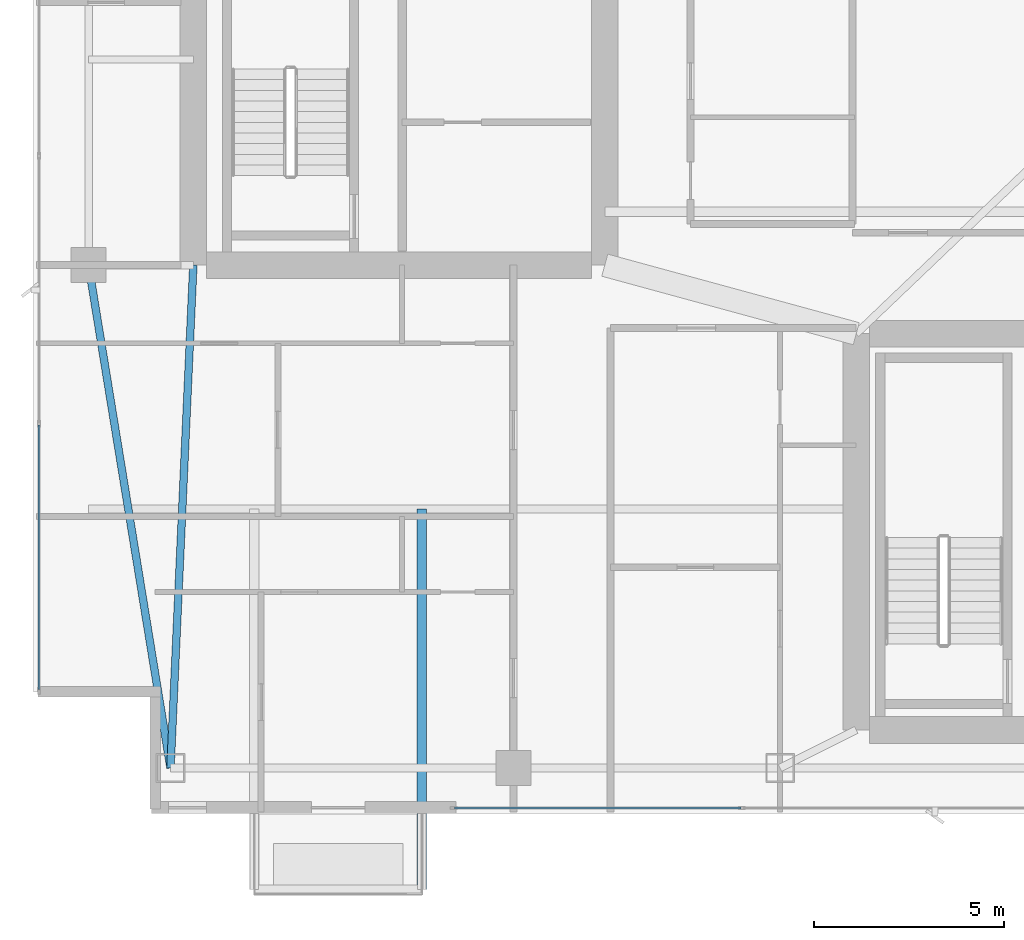
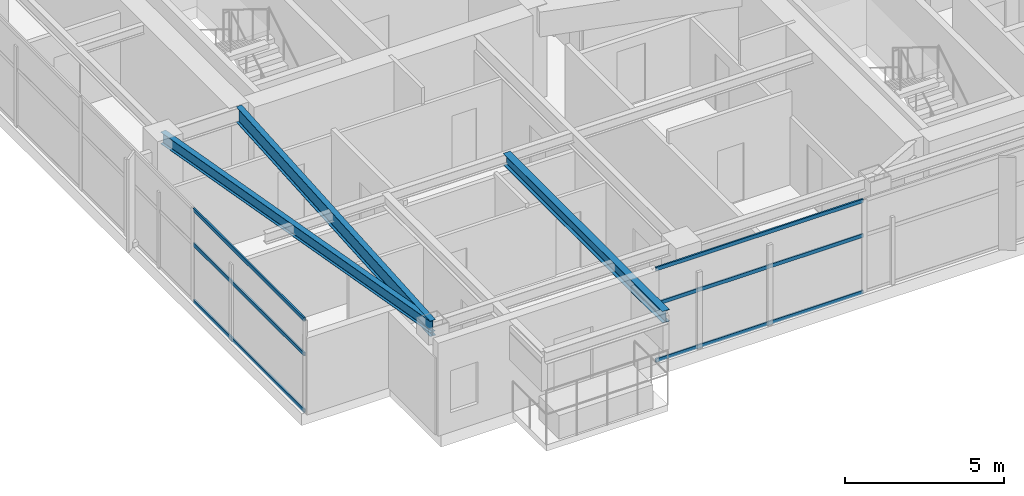
# One storey, part 3 of 29: 6 members, 3 beams, 2 elements without a shape of their own.
"""IFC4 building model written with IfcOpenShell, lengths in metres."""

from ifc_helpers import new_model, si_unit, direction, frame, origin, origin_2d, place, context, subcontext, project, spatial, hollow_rectangle, i_section, extrude, material, layer, layer_set, material_profile, profile_set, type_object, element, aggregate, save


model = new_model("IFC4")

# Units and contexts
model_context = context("Model", 3, precision=1e-05, world=origin(), true_north=direction((0.0, 1.0)))
body_context = subcontext(model_context, "Body", "Model", "MODEL_VIEW")
ifc_project = project(units=[si_unit("LENGTHUNIT", "METRE"), si_unit("AREAUNIT", "SQUARE_METRE"), si_unit("VOLUMEUNIT", "CUBIC_METRE"), si_unit("PLANEANGLEUNIT", "RADIAN"), si_unit("MASSUNIT", "GRAM", prefix="KILO")], contexts=[model_context])

# Site, building, storey
site_placement = place(None, origin())
site = spatial("IfcSite", under=ifc_project, at=site_placement, CompositionType="ELEMENT")
building_placement = place(site_placement, origin())
building = spatial("IfcBuilding", under=site, at=building_placement, Name="Calvorn Quay Hotel", CompositionType="ELEMENT")
storey_placement = place(building_placement, frame((0.0, 0.0, 199.60009765625)))
storey = spatial("IfcBuildingStorey", under=building, at=storey_placement, Name="L49", CompositionType="ELEMENT", Elevation=199.60009765625)

# Beams
ifc_material_1 = material(Name="Steel Q355B", Category="steel")
ifc_material_profile_1 = material_profile(ifc_material_1, i_section(OverallWidth=0.25, OverallDepth=0.449951171875, WebThickness=0.011962890625, FlangeThickness=0.01611328125, FilletRadius=0.01611328125, at=origin_2d()), Name="HN450x250x12x16")
ifc_profile_set_1 = profile_set([ifc_material_profile_1], Name="Steel Q355B")
beam_type_1 = type_object("IfcBeamType", Name="BM-CANT-BALC", PredefinedType="BEAM", material=ifc_profile_set_1)
beam_1_placement = place(storey_placement, frame((10.199951171875, 10.39990234375, 3.31494140625), z_axis=(0.0, -1.0, 0.0), x_axis=(1.0, 0.0, 0.0)))
element("IfcBeam", 1, at=beam_1_placement, inside=storey, type_object=beam_type_1, Name="Cantilever Balcony Beam BCB-L50-2B", PredefinedType="BEAM", context=body_context, shape_type="SweptSolid", body=[
    extrude(i_section(OverallWidth=0.25, OverallDepth=0.449951171875, WebThickness=0.011962890625, FlangeThickness=0.01611328125, FilletRadius=0.01611328125, at=origin_2d()), origin(), (0.0, 0.0, 1.0), 9.989990234375),
])
ifc_material_2 = material(Name="Steel Q355B", Category="steel")
ifc_material_profile_2 = material_profile(ifc_material_2, i_section(OverallWidth=0.199951171875, OverallDepth=0.60009765625, WebThickness=0.010986328125, FlangeThickness=0.01708984375, FilletRadius=0.01806640625, at=origin_2d()), Name="HN600x200x11x17")
ifc_profile_set_2 = profile_set([ifc_material_profile_2], Name="Steel Q355B")
beam_type_2 = type_object("IfcBeamType", Name="BM-GIRD-TYP", PredefinedType="BEAM", material=ifc_profile_set_2)
beam_2_placement = place(storey_placement, frame((3.60009765625, 3.60009765625, 3.239990234375), z_axis=(0.045396765494, 0.998969035397, 0.0), x_axis=(-0.998969035397, 0.045396765494, 0.0)))
element("IfcBeam", 2, at=beam_2_placement, inside=storey, type_object=beam_type_2, Name="Beam BG-L49-W0", PredefinedType="BEAM", context=body_context, shape_type="SweptSolid", body=[
    extrude(i_section(OverallWidth=0.199951171875, OverallDepth=0.60009765625, WebThickness=0.010986328125, FlangeThickness=0.01708984375, FilletRadius=0.01806640625, at=origin_2d()), origin(), (0.0, 0.0, 1.0), 13.213623046875),
])
ifc_material_3 = material(Name="Steel Q355B", Category="steel")
ifc_material_profile_3 = material_profile(ifc_material_3, i_section(OverallWidth=0.199951171875, OverallDepth=0.449951171875, WebThickness=0.009033203125, FlangeThickness=0.013916015625, FilletRadius=0.01611328125, at=origin_2d()), Name="HN450x200x9x14")
ifc_profile_set_3 = profile_set([ifc_material_profile_3], Name="Steel Q355B")
beam_type_3 = type_object("IfcBeamType", Name="BM-SPANDREL-Z3", PredefinedType="SPANDREL", material=ifc_profile_set_3)
beam_3_placement = place(storey_placement, frame((3.60009765625, 3.60009765625, 3.31494140625), z_axis=(-0.16077155054, 0.986991645627, 0.0), x_axis=(-0.986991645627, -0.16077155054, 0.0)))
element("IfcBeam", 3, at=beam_3_placement, inside=storey, type_object=beam_type_3, Name="Beam BSP-L49-W1", PredefinedType="SPANDREL", context=body_context, shape_type="SweptSolid", body=[
    extrude(i_section(OverallWidth=0.199951171875, OverallDepth=0.449951171875, WebThickness=0.009033203125, FlangeThickness=0.013916015625, FilletRadius=0.01611328125, at=origin_2d()), origin(), (0.0, 0.0, 1.0), 13.3740234375),
])

# Curtain wall, members
ifc_material_4 = material(Name="Champagne Bronze Anodised Aluminium and Low-E Glass", Category="aluminium")
ifc_layer = layer(ifc_material_4, 0.219970703125)
ifc_layer_set = layer_set([ifc_layer], Name="CW-SYS-Z3")
curtain_wall_type = type_object("IfcCurtainWallType", Name="CW-SYS-Z3", PredefinedType="NOTDEFINED", material=ifc_layer_set)
curtain_wall_1_placement = place(storey_placement, origin())
curtain_wall_1 = element("IfcCurtainWall", 4, at=curtain_wall_1_placement, inside=storey, type_object=curtain_wall_type, Name="Tower West Curtain Wall (L49)", PredefinedType="NOTDEFINED")
ifc_material_5 = material(Name="Champagne Bronze Anodised Aluminium 6063-T6", Category="aluminium")
ifc_material_profile_4 = material_profile(ifc_material_5, hollow_rectangle(XDim=0.05810546875, YDim=0.139892578125, WallThickness=0.003173828125, at=origin_2d()), Name="ALU-T140x58x3.2")
ifc_profile_set_4 = profile_set([ifc_material_profile_4], Name="Champagne Bronze Anodised Aluminium 6063-T6")
member_type = type_object("IfcMemberType", Name="CW-SYS-Z3-TRN", PredefinedType="USERDEFINED", material=ifc_profile_set_4)
member_1_placement = place(storey_placement, frame((0.14990234375, 5.659912109375, 0.02978515625), z_axis=(0.0, 1.0, 0.0), x_axis=(-1.0, 0.0, 0.0)))
member_1 = element("IfcMember", 5, at=member_1_placement, type_object=member_type, Name="CW-L49-W transom 1.1", ObjectType="TRANSOM", PredefinedType="USERDEFINED", context=body_context, shape_type="SweptSolid", body=[
    extrude(hollow_rectangle(XDim=0.05810546875, YDim=0.139892578125, WallThickness=0.003173828125, at=origin_2d()), origin(), (0.0, 0.0, 1.0), 6.943359375),
])
member_2_placement = place(storey_placement, frame((0.14990234375, 5.659912109375, 2.199951171875), z_axis=(0.0, 1.0, 0.0), x_axis=(-1.0, 0.0, 0.0)))
member_2 = element("IfcMember", 6, at=member_2_placement, type_object=member_type, Name="CW-L49-W transom 1.2", ObjectType="TRANSOM", PredefinedType="USERDEFINED", context=body_context, shape_type="SweptSolid", body=[
    extrude(hollow_rectangle(XDim=0.05810546875, YDim=0.139892578125, WallThickness=0.003173828125, at=origin_2d()), origin(), (0.0, 0.0, 1.0), 6.943359375),
])
member_3_placement = place(storey_placement, frame((0.14990234375, 5.659912109375, 3.52978515625), z_axis=(0.0, 1.0, 0.0), x_axis=(-1.0, 0.0, 0.0)))
member_3 = element("IfcMember", 7, at=member_3_placement, type_object=member_type, Name="CW-L49-W transom 1.3", ObjectType="TRANSOM", PredefinedType="USERDEFINED", context=body_context, shape_type="SweptSolid", body=[
    extrude(hollow_rectangle(XDim=0.05810546875, YDim=0.139892578125, WallThickness=0.003173828125, at=origin_2d()), origin(), (0.0, 0.0, 1.0), 6.943359375),
])
aggregate(curtain_wall_1, [member_1, member_2, member_3])

curtain_wall_2_placement = place(storey_placement, origin())
curtain_wall_2 = element("IfcCurtainWall", 8, at=curtain_wall_2_placement, inside=storey, type_object=curtain_wall_type, Name="Tower South Waterfront Curtain Wall (L49)", PredefinedType="NOTDEFINED")
member_4_placement = place(storey_placement, frame((11.06005859375, 2.550048828125, 0.02978515625), z_axis=(1.0, 0.0, 0.0), x_axis=(0.0, 1.0, 0.0)))
member_4 = element("IfcMember", 9, at=member_4_placement, type_object=member_type, Name="CW-L49-S transom 1.1", ObjectType="TRANSOM", PredefinedType="USERDEFINED", context=body_context, shape_type="SweptSolid", body=[
    extrude(hollow_rectangle(XDim=0.05810546875, YDim=0.139892578125, WallThickness=0.003173828125, at=origin_2d()), origin(), (0.0, 0.0, 1.0), 7.510009765625),
])
member_5_placement = place(storey_placement, frame((11.06005859375, 2.550048828125, 2.199951171875), z_axis=(1.0, 0.0, 0.0), x_axis=(0.0, 1.0, 0.0)))
member_5 = element("IfcMember", 10, at=member_5_placement, type_object=member_type, Name="CW-L49-S transom 1.2", ObjectType="TRANSOM", PredefinedType="USERDEFINED", context=body_context, shape_type="SweptSolid", body=[
    extrude(hollow_rectangle(XDim=0.05810546875, YDim=0.139892578125, WallThickness=0.003173828125, at=origin_2d()), origin(), (0.0, 0.0, 1.0), 7.510009765625),
])
member_6_placement = place(storey_placement, frame((11.06005859375, 2.550048828125, 3.52978515625), z_axis=(1.0, 0.0, 0.0), x_axis=(0.0, 1.0, 0.0)))
member_6 = element("IfcMember", 11, at=member_6_placement, type_object=member_type, Name="CW-L49-S transom 1.3", ObjectType="TRANSOM", PredefinedType="USERDEFINED", context=body_context, shape_type="SweptSolid", body=[
    extrude(hollow_rectangle(XDim=0.05810546875, YDim=0.139892578125, WallThickness=0.003173828125, at=origin_2d()), origin(), (0.0, 0.0, 1.0), 7.510009765625),
])
aggregate(curtain_wall_2, [member_4, member_5, member_6])

save(model, "model.ifc")
